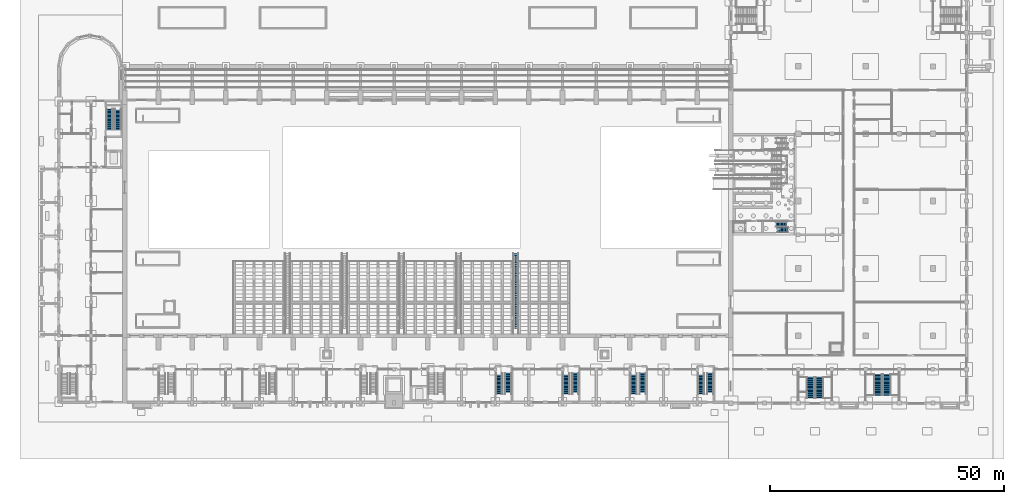
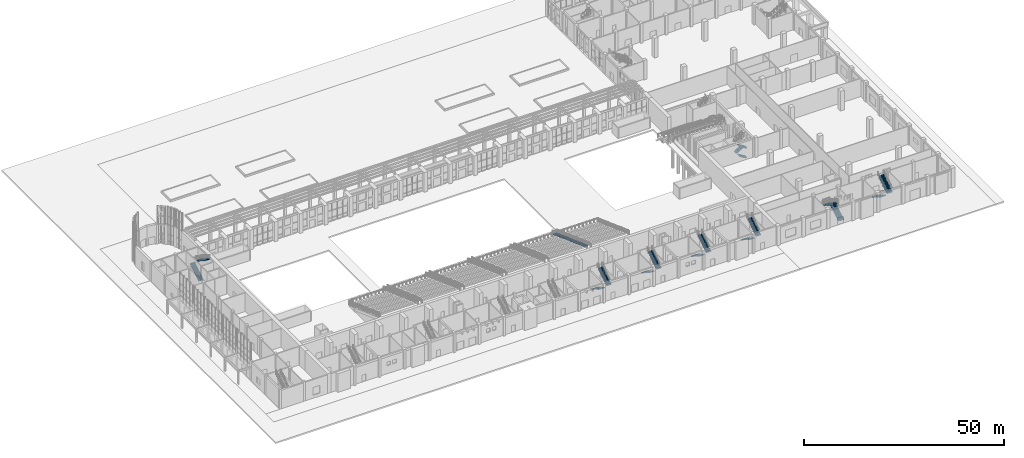
# One storey, part 55 of 70: 18 stair flights, 9 elements without a shape of their own.
"""IFC4 building model written with IfcOpenShell, lengths in metres."""

import ifcopenshell
import ifcopenshell.guid

model = None  # the IFC model being written
_history = None  # IfcOwnerHistory: only IFC2X3 demands one
_inside = {}  # id of a spatial element -> (the spatial element, [elements in it])
_under = {}  # id of a project, library or spatial element -> (it, [spatial elements below it])
_declared = {}  # id of a project -> (the project, [libraries it declares])
_typed = {}  # id of a type object -> (the type object, [elements of that type])
_made_of = {}  # id of a material, layer set ... -> (it, [elements and type objects made of it])


def new_model(schema):
    """Start an empty IFC model of exactly this schema.

    Asked for "IFC4X3", IfcOpenShell would pick the latest addendum, in which some entities
    have other attributes; the version numbers below select the first issue.
    IFC2X3 requires an IfcOwnerHistory on every rooted entity: one is made here for all.
    """
    global model, _history
    if schema == "IFC4X3":
        model = ifcopenshell.file(schema_version=(4, 3, 0, 0))
    else:
        model = ifcopenshell.file(schema=schema)
    _inside.clear()
    _under.clear()
    _declared.clear()
    _typed.clear()
    _made_of.clear()
    _history = None
    if model.schema == "IFC2X3":
        org = make("IfcOrganization", Name="unknown")
        user = make(
            "IfcPersonAndOrganization",
            ThePerson=make("IfcPerson", FamilyName="unknown"),
            TheOrganization=org,
        )
        app = make(
            "IfcApplication",
            ApplicationDeveloper=org,
            Version="unknown",
            ApplicationFullName="unknown",
            ApplicationIdentifier="unknown",
        )
        _history = make(
            "IfcOwnerHistory",
            OwningUser=user,
            OwningApplication=app,
            ChangeAction="ADDED",
            CreationDate=0,
        )
    return model


def make(cls, **values):
    """One entity of the class cls with the attributes given. An attribute that is None is left unset."""
    return model.create_entity(
        cls, **{name: value for name, value in values.items() if value is not None}
    )


def rooted(cls, **values):
    """An entity with a GlobalId (a new one), such as an element, a storey or a relation."""
    return make(cls, GlobalId=ifcopenshell.guid.new(), OwnerHistory=_history, **values)


def si_unit(unit_type, name, prefix=None):
    """IfcSIUnit, for example si_unit("LENGTHUNIT", "METRE", prefix="MILLI")."""
    return make("IfcSIUnit", UnitType=unit_type, Prefix=prefix, Name=name)


def assignment(units):
    """IfcUnitAssignment: the units of a project."""
    return None if units is None else make("IfcUnitAssignment", Units=units)


def point(xyz):
    """IfcCartesianPoint."""
    return None if xyz is None else make("IfcCartesianPoint", Coordinates=xyz)


def direction(xyz):
    """IfcDirection."""
    return None if xyz is None else make("IfcDirection", DirectionRatios=xyz)


def frame(location, z_axis=None, x_axis=None):
    """IfcAxis2Placement3D, a coordinate frame: its origin and axes. An axis left out is left unset."""
    return make(
        "IfcAxis2Placement3D",
        Location=point(location),
        Axis=direction(z_axis),
        RefDirection=direction(x_axis),
    )


def origin():
    """The frame at (0, 0, 0) with its axes left unset."""
    return frame((0.0, 0.0, 0.0))


def place(relative_to, where):
    """IfcLocalPlacement: puts the frame where relative to a parent placement (None: the world)."""
    return make(
        "IfcLocalPlacement", PlacementRelTo=relative_to, RelativePlacement=where
    )


def context(
    kind, dimensions, precision=None, world=None, true_north=None, identifier=None
):
    """IfcGeometricRepresentationContext, for example the 3D "Model" context."""
    return make(
        "IfcGeometricRepresentationContext",
        ContextIdentifier=identifier,
        ContextType=kind,
        CoordinateSpaceDimension=dimensions,
        Precision=precision,
        WorldCoordinateSystem=world,
        TrueNorth=true_north,
    )


def subcontext(parent, identifier, kind, view, scale=None):
    """IfcGeometricRepresentationSubContext, for example "Body" below "Model"."""
    return make(
        "IfcGeometricRepresentationSubContext",
        ContextIdentifier=identifier,
        ContextType=kind,
        ParentContext=parent,
        TargetScale=scale,
        TargetView=view,
    )


def project(units=None, contexts=None):
    """IfcProject with its units and contexts."""
    return rooted(
        "IfcProject",
        Name="project",
        RepresentationContexts=contexts,
        UnitsInContext=assignment(units),
    )


def spatial(cls, under=None, at=None, **own):
    """A site, building, storey or space (cls), placed at a placement, below another one or the project."""
    s = rooted(cls, ObjectPlacement=at, **own)
    if under is not None:
        _under.setdefault(under.id(), (under, []))[1].append(s)
    return s


def polyline(points):
    """IfcPolyline through the points."""
    return make("IfcPolyline", Points=[point(p) for p in points])


def outline(outer, holes=None, kind="AREA"):
    """IfcArbitraryClosedProfileDef: a profile drawn as a closed curve; with holes, ...WithVoids."""
    if holes is None:
        return make("IfcArbitraryClosedProfileDef", ProfileType=kind, OuterCurve=outer)
    return make(
        "IfcArbitraryProfileDefWithVoids",
        ProfileType=kind,
        OuterCurve=outer,
        InnerCurves=holes,
    )


def extrude(swept, where, along, depth):
    """IfcExtrudedAreaSolid: the profile swept, set in the frame where, extruded along a direction by depth."""
    return make(
        "IfcExtrudedAreaSolid",
        SweptArea=swept,
        Position=where,
        ExtrudedDirection=direction(along),
        Depth=depth,
    )


def shape(context_of_items, identifier, shape_type, items):
    """IfcShapeRepresentation: the items that make up one representation, for example the "Body"."""
    return make(
        "IfcShapeRepresentation",
        ContextOfItems=context_of_items,
        RepresentationIdentifier=identifier,
        RepresentationType=shape_type,
        Items=items,
    )


def material(Name=None, Category=None):
    """IfcMaterial."""
    return make("IfcMaterial", Name=Name, Category=Category)


def made_of(thing, what):
    """Note that an element or type object is made of a material, layer set ...; save() writes the relation."""
    if what is not None:
        _made_of.setdefault(what.id(), (what, []))[1].append(thing)
    return thing


def type_object(cls, material=None, **own):
    """A type object (cls), such as IfcWallType, which elements share."""
    return made_of(rooted(cls, **own), material)


def element(
    cls,
    number,
    at=None,
    inside=None,
    cuts=None,
    type_object=None,
    material=None,
    context=None,
    identifier="Body",
    shape_type=None,
    held_by="IfcProductDefinitionShape",
    body=None,
    shapes=None,
    **own,
):
    """One element of the class cls, such as IfcWall. Its Tag is "e" and its number.

    at: its placement. inside: the storey or other place that contains it. cuts: it is an
    opening in that element (IfcRelVoidsElement). A single representation is given by context,
    identifier, shape_type and body (its items); several are given by shapes. held_by: the class
    of the entity that holds the representations. save() writes the other relations.
    """
    e = rooted(cls, Tag="e%d" % number, ObjectPlacement=at, **own)
    if body is not None:
        shapes = [shape(context, identifier, shape_type, body)]
    if shapes is not None:
        e.Representation = make(held_by, Representations=shapes)
    if inside is not None:
        _inside.setdefault(inside.id(), (inside, []))[1].append(e)
    if cuts is not None:
        rooted(
            "IfcRelVoidsElement", RelatingBuildingElement=cuts, RelatedOpeningElement=e
        )
    if type_object is not None:
        _typed.setdefault(type_object.id(), (type_object, []))[1].append(e)
    return made_of(e, material)


def aggregate(whole, parts):
    """IfcRelAggregates: a whole, such as a stair, and the parts it consists of."""
    return rooted("IfcRelAggregates", RelatingObject=whole, RelatedObjects=parts)


def save(model, path):
    """Write the relations noted so far, then the file.

    IfcRelAggregates (storeys below a building ...), IfcRelContainedInSpatialStructure (elements
    in a storey), IfcRelDefinesByType, IfcRelAssociatesMaterial and IfcRelDeclares: one each for
    every whole, place, type object, material and project.
    """
    for whole, parts in _under.values():
        aggregate(whole, parts)
    for where, things in _inside.values():
        rooted(
            "IfcRelContainedInSpatialStructure",
            RelatedElements=things,
            RelatingStructure=where,
        )
    for kind, things in _typed.values():
        rooted("IfcRelDefinesByType", RelatedObjects=things, RelatingType=kind)
    for what, things in _made_of.values():
        rooted("IfcRelAssociatesMaterial", RelatedObjects=things, RelatingMaterial=what)
    for by, libraries in _declared.values():
        rooted("IfcRelDeclares", RelatingContext=by, RelatedDefinitions=libraries)
    model.write(path)


model = new_model("IFC4")

# Units and contexts
model_context = context("Model", 3, precision=1e-05, world=origin(), true_north=direction((0.0, 1.0)))
body_context = subcontext(model_context, "Body", "Model", "MODEL_VIEW")
ifc_project = project(units=[si_unit("LENGTHUNIT", "METRE"), si_unit("AREAUNIT", "SQUARE_METRE"), si_unit("VOLUMEUNIT", "CUBIC_METRE"), si_unit("PLANEANGLEUNIT", "RADIAN"), si_unit("MASSUNIT", "GRAM", prefix="KILO")], contexts=[model_context])

# Site, building, storey
site_placement = place(None, origin())
site = spatial("IfcSite", under=ifc_project, at=site_placement, CompositionType="ELEMENT")
building_placement = place(site_placement, origin())
building = spatial("IfcBuilding", under=site, at=building_placement, Name="Vermilion Court Aquatics Centre", CompositionType="ELEMENT")
storey_placement = place(building_placement, origin())
storey = spatial("IfcBuildingStorey", under=building, at=storey_placement, Name="L00", CompositionType="ELEMENT", Elevation=0.0)

# Stair, stair flights
ifc_material_1 = material(Name="Concrete 5000 psi", Category="concrete")
stair_type_1 = type_object("IfcStairType", Name="Diving Tower stair 1130", PredefinedType="HALF_TURN_STAIR", material=ifc_material_1)
stair_1_placement = place(storey_placement, origin())
stair_1 = element("IfcStair", 1, at=stair_1_placement, inside=storey, type_object=stair_type_1, Name="Exit stair ST-D1 L00", PredefinedType="HALF_TURN_STAIR")
ifc_material_2 = material(Name="Concrete 5000 psi", Category="concrete")
stair_flight_type_1 = type_object("IfcStairFlightType", Name="Diving Tower stair flight 1130", PredefinedType="STRAIGHT", material=ifc_material_2)
stair_flight_1_placement = place(storey_placement, frame((156.199951171875, 37.06494140625, 0.0), z_axis=(0.0, 0.0, 1.0), x_axis=(-1.0, 0.0, 0.0)))
stair_flight_1 = element("IfcStairFlight", 2, at=stair_flight_1_placement, type_object=stair_flight_type_1, Name="ST-D1 flight 1", NumberOfRisers=9, NumberOfTreads=8, PredefinedType="STRAIGHT", RiserHeight=0.166667, TreadLength=0.28, context=body_context, shape_type="SweptSolid", body=[
    extrude(outline(polyline([(0.0, 0.0), (0.0, 0.166748046875), (0.280029296875, 0.166748046875), (0.280029296875, 0.333251953125), (0.56005859375, 0.333251953125), (0.56005859375, 0.5), (0.840087890625, 0.5), (0.840087890625, 0.666748046875), (1.1201171875, 0.666748046875), (1.1201171875, 0.833251953125), (1.39990234375, 0.833251953125), (1.39990234375, 1.0), (1.679931640625, 1.0), (1.679931640625, 1.166748046875), (1.9599609375, 1.166748046875), (1.9599609375, 1.333251953125), (2.239990234375, 1.333251953125), (2.239990234375, 1.5), (2.239990234375, 1.1005859375), (0.390869140625, 0.0), (0.0, 0.0)])), frame((0.0, 0.56494140625, 0.0), z_axis=(0.0, -1.0, 0.0), x_axis=(1.0, 0.0, 0.0)), (0.0, 0.0, 1.0), 1.1298828125),
])
stair_flight_2_placement = place(storey_placement, frame((153.659912109375, 38.235107421875, 1.5), z_axis=(0.0, 0.0, 1.0), x_axis=(1.0, 0.0, 0.0)))
stair_flight_2 = element("IfcStairFlight", 3, at=stair_flight_2_placement, type_object=stair_flight_type_1, Name="ST-D1 flight 2", NumberOfRisers=9, NumberOfTreads=8, PredefinedType="STRAIGHT", RiserHeight=0.166667, TreadLength=0.28, context=body_context, shape_type="SweptSolid", body=[
    extrude(outline(polyline([(0.0, 0.0), (0.0, 0.166748046875), (0.280029296875, 0.166748046875), (0.280029296875, 0.333251953125), (0.56005859375, 0.333251953125), (0.56005859375, 0.5), (0.840087890625, 0.5), (0.840087890625, 0.666748046875), (1.1201171875, 0.666748046875), (1.1201171875, 0.833251953125), (1.39990234375, 0.833251953125), (1.39990234375, 1.0), (1.679931640625, 1.0), (1.679931640625, 1.166748046875), (1.9599609375, 1.166748046875), (1.9599609375, 1.333251953125), (2.239990234375, 1.333251953125), (2.239990234375, 1.5), (2.239990234375, 1.1005859375), (0.390869140625, 0.0), (0.0, 0.0)])), frame((0.0, 0.56494140625, 0.0), z_axis=(0.0, -1.0, 0.0), x_axis=(1.0, 0.0, 0.0)), (0.0, 0.0, 1.0), 1.1298828125),
])
stair_flight_3_placement = place(storey_placement, frame((156.199951171875, 37.06494140625, 3.0), z_axis=(0.0, 0.0, 1.0), x_axis=(-1.0, 0.0, 0.0)))
stair_flight_3 = element("IfcStairFlight", 4, at=stair_flight_3_placement, type_object=stair_flight_type_1, Name="ST-D1 flight 3", NumberOfRisers=9, NumberOfTreads=8, PredefinedType="STRAIGHT", RiserHeight=0.166667, TreadLength=0.28, context=body_context, shape_type="SweptSolid", body=[
    extrude(outline(polyline([(0.0, 0.0), (0.0, 0.166748046875), (0.280029296875, 0.166748046875), (0.280029296875, 0.333251953125), (0.56005859375, 0.333251953125), (0.56005859375, 0.5), (0.840087890625, 0.5), (0.840087890625, 0.666748046875), (1.1201171875, 0.666748046875), (1.1201171875, 0.833251953125), (1.39990234375, 0.833251953125), (1.39990234375, 1.0), (1.679931640625, 1.0), (1.679931640625, 1.166748046875), (1.9599609375, 1.166748046875), (1.9599609375, 1.333251953125), (2.239990234375, 1.333251953125), (2.239990234375, 1.5), (2.239990234375, 1.1005859375), (0.390869140625, 0.0), (0.0, 0.0)])), frame((0.0, 0.56494140625, 0.0), z_axis=(0.0, -1.0, 0.0), x_axis=(1.0, 0.0, 0.0)), (0.0, 0.0, 1.0), 1.1298828125),
])
aggregate(stair_1, [stair_flight_1, stair_flight_2, stair_flight_3])

ifc_material_3 = material(Name="Concrete 5000 psi", Category="concrete")
stair_type_2 = type_object("IfcStairType", Name="Foyer exit stair", PredefinedType="HALF_TURN_STAIR", material=ifc_material_3)
stair_2_placement = place(storey_placement, origin())
stair_2 = element("IfcStair", 5, at=stair_2_placement, inside=storey, type_object=stair_type_2, Name="Exit stair F2", PredefinedType="HALF_TURN_STAIR")
ifc_material_4 = material(Name="Concrete 5000 psi", Category="concrete")
stair_flight_type_2 = type_object("IfcStairFlightType", Name="Foyer exit stair flight 200", PredefinedType="STRAIGHT", material=ifc_material_4)
stair_flight_4_placement = place(storey_placement, frame((11.125, 58.449951171875, 0.0), z_axis=(0.0, 0.0, 1.0), x_axis=(0.0, 1.0, 0.0)))
stair_flight_4 = element("IfcStairFlight", 6, at=stair_flight_4_placement, type_object=stair_flight_type_2, Name="FST1 flight 1", NumberOfRisers=17, NumberOfTreads=16, PredefinedType="STRAIGHT", RiserHeight=0.176470588, TreadLength=0.28, context=body_context, shape_type="SweptSolid", body=[
    extrude(outline(polyline([(0.0, 0.0), (0.0, 0.176513671875), (0.280029296875, 0.176513671875), (0.280029296875, 0.35302734375), (0.56005859375, 0.35302734375), (0.56005859375, 0.529296875), (0.840087890625, 0.529296875), (0.840087890625, 0.705810546875), (1.1201171875, 0.705810546875), (1.1201171875, 0.88232421875), (1.39990234375, 0.88232421875), (1.39990234375, 1.058837890625), (1.679931640625, 1.058837890625), (1.679931640625, 1.2353515625), (1.9599609375, 1.2353515625), (1.9599609375, 1.411865234375), (2.239990234375, 1.411865234375), (2.239990234375, 1.588134765625), (2.52001953125, 1.588134765625), (2.52001953125, 1.7646484375), (2.800048828125, 1.7646484375), (2.800048828125, 1.941162109375), (3.080078125, 1.941162109375), (3.080078125, 2.11767578125), (3.360107421875, 2.11767578125), (3.360107421875, 2.294189453125), (3.639892578125, 2.294189453125), (3.639892578125, 2.470703125), (3.919921875, 2.470703125), (3.919921875, 2.64697265625), (4.199951171875, 2.64697265625), (4.199951171875, 2.823486328125), (4.47998046875, 2.823486328125), (4.47998046875, 3.0), (4.47998046875, 2.587158203125), (0.375, 0.0), (0.0, 0.0)])), frame((0.0, 0.699951171875, 0.0), z_axis=(0.0, -1.0, 0.0), x_axis=(1.0, 0.0, 0.0)), (0.0, 0.0, 1.0), 1.39990234375),
])
stair_flight_5_placement = place(storey_placement, frame((12.949951171875, 62.929931640625, 3.0), z_axis=(0.0, 0.0, 1.0), x_axis=(0.0, -1.0, 0.0)))
stair_flight_5 = element("IfcStairFlight", 7, at=stair_flight_5_placement, type_object=stair_flight_type_2, Name="FST1 flight 2", NumberOfRisers=17, NumberOfTreads=16, PredefinedType="STRAIGHT", RiserHeight=0.176470588, TreadLength=0.28, context=body_context, shape_type="SweptSolid", body=[
    extrude(outline(polyline([(0.0, 0.0), (0.0, 0.176513671875), (0.280029296875, 0.176513671875), (0.280029296875, 0.35302734375), (0.56005859375, 0.35302734375), (0.56005859375, 0.529296875), (0.840087890625, 0.529296875), (0.840087890625, 0.705810546875), (1.1201171875, 0.705810546875), (1.1201171875, 0.88232421875), (1.39990234375, 0.88232421875), (1.39990234375, 1.058837890625), (1.679931640625, 1.058837890625), (1.679931640625, 1.2353515625), (1.9599609375, 1.2353515625), (1.9599609375, 1.411865234375), (2.239990234375, 1.411865234375), (2.239990234375, 1.588134765625), (2.52001953125, 1.588134765625), (2.52001953125, 1.7646484375), (2.800048828125, 1.7646484375), (2.800048828125, 1.941162109375), (3.080078125, 1.941162109375), (3.080078125, 2.11767578125), (3.360107421875, 2.11767578125), (3.360107421875, 2.294189453125), (3.639892578125, 2.294189453125), (3.639892578125, 2.470703125), (3.919921875, 2.470703125), (3.919921875, 2.64697265625), (4.199951171875, 2.64697265625), (4.199951171875, 2.823486328125), (4.47998046875, 2.823486328125), (4.47998046875, 3.0), (4.47998046875, 2.587158203125), (0.375, 0.0), (0.0, 0.0)])), frame((0.0, 0.699951171875, 0.0), z_axis=(0.0, -1.0, 0.0), x_axis=(1.0, 0.0, 0.0)), (0.0, 0.0, 1.0), 1.39990234375),
])
aggregate(stair_2, [stair_flight_4, stair_flight_5])

ifc_material_5 = material(Name="Concrete 5000 psi", Category="concrete")
stair_type_3 = type_object("IfcStairType", Name="Podium exit stair 1600 clear, two flights", PredefinedType="TWO_STRAIGHT_RUN_STAIR", material=ifc_material_5)
stair_3_placement = place(storey_placement, origin())
stair_3 = element("IfcStair", 8, at=stair_3_placement, inside=storey, type_object=stair_type_3, Name="Exit stair P1", PredefinedType="TWO_STRAIGHT_RUN_STAIR")
ifc_material_6 = material(Name="Concrete 5000 psi", Category="concrete")
stair_flight_type_3 = type_object("IfcStairFlightType", Name="Podium exit stair flight 1600", PredefinedType="STRAIGHT", material=ifc_material_6)
stair_flight_6_placement = place(storey_placement, frame((162.93994140625, 1.0625, 0.0), z_axis=(0.0, 0.0, 1.0), x_axis=(0.0, 1.0, 0.0)))
stair_flight_6 = element("IfcStairFlight", 9, at=stair_flight_6_placement, type_object=stair_flight_type_3, Name="ST-P1 flight 1", NumberOfRisers=17, NumberOfTreads=16, PredefinedType="STRAIGHT", RiserHeight=0.176470588, TreadLength=0.2795, context=body_context, shape_type="SweptSolid", body=[
    extrude(outline(polyline([(0.0, 0.0), (0.0, 0.176513671875), (0.279541015625, 0.176513671875), (0.279541015625, 0.35302734375), (0.55908203125, 0.35302734375), (0.55908203125, 0.529296875), (0.83837890625, 0.529296875), (0.83837890625, 0.705810546875), (1.117919921875, 0.705810546875), (1.117919921875, 0.88232421875), (1.3974609375, 0.88232421875), (1.3974609375, 1.058837890625), (1.677001953125, 1.058837890625), (1.677001953125, 1.2353515625), (1.95654296875, 1.2353515625), (1.95654296875, 1.411865234375), (2.236083984375, 1.411865234375), (2.236083984375, 1.588134765625), (2.515380859375, 1.588134765625), (2.515380859375, 1.7646484375), (2.794921875, 1.7646484375), (2.794921875, 1.941162109375), (3.074462890625, 1.941162109375), (3.074462890625, 2.11767578125), (3.35400390625, 2.11767578125), (3.35400390625, 2.294189453125), (3.633544921875, 2.294189453125), (3.633544921875, 2.470703125), (3.9130859375, 2.470703125), (3.9130859375, 2.64697265625), (4.1923828125, 2.64697265625), (4.1923828125, 2.823486328125), (4.471923828125, 2.823486328125), (4.471923828125, 3.0), (4.471923828125, 2.587158203125), (0.37451171875, 0.0), (0.0, 0.0)])), frame((0.0, 0.800048828125, 0.0), z_axis=(0.0, -1.0, 0.0), x_axis=(1.0, 0.0, 0.0)), (0.0, 0.0, 1.0), 1.60009765625),
])
stair_flight_7_placement = place(storey_placement, frame((161.06005859375, 5.534423828125, 3.0), z_axis=(0.0, 0.0, 1.0), x_axis=(0.0, -1.0, 0.0)))
stair_flight_7 = element("IfcStairFlight", 10, at=stair_flight_7_placement, type_object=stair_flight_type_3, Name="ST-P1 flight 2", NumberOfRisers=17, NumberOfTreads=16, PredefinedType="STRAIGHT", RiserHeight=0.176470588, TreadLength=0.2795, context=body_context, shape_type="SweptSolid", body=[
    extrude(outline(polyline([(0.0, 0.0), (0.0, 0.176513671875), (0.279541015625, 0.176513671875), (0.279541015625, 0.35302734375), (0.55908203125, 0.35302734375), (0.55908203125, 0.529296875), (0.83837890625, 0.529296875), (0.83837890625, 0.705810546875), (1.117919921875, 0.705810546875), (1.117919921875, 0.88232421875), (1.3974609375, 0.88232421875), (1.3974609375, 1.058837890625), (1.677001953125, 1.058837890625), (1.677001953125, 1.2353515625), (1.95654296875, 1.2353515625), (1.95654296875, 1.411865234375), (2.236083984375, 1.411865234375), (2.236083984375, 1.588134765625), (2.515380859375, 1.588134765625), (2.515380859375, 1.7646484375), (2.794921875, 1.7646484375), (2.794921875, 1.941162109375), (3.074462890625, 1.941162109375), (3.074462890625, 2.11767578125), (3.35400390625, 2.11767578125), (3.35400390625, 2.294189453125), (3.633544921875, 2.294189453125), (3.633544921875, 2.470703125), (3.9130859375, 2.470703125), (3.9130859375, 2.64697265625), (4.1923828125, 2.64697265625), (4.1923828125, 2.823486328125), (4.471923828125, 2.823486328125), (4.471923828125, 3.0), (4.471923828125, 2.587158203125), (0.37451171875, 0.0), (0.0, 0.0)])), frame((0.0, 0.800048828125, 0.0), z_axis=(0.0, -1.0, 0.0), x_axis=(1.0, 0.0, 0.0)), (0.0, 0.0, 1.0), 1.60009765625),
])
aggregate(stair_3, [stair_flight_6, stair_flight_7])

stair_4_placement = place(storey_placement, origin())
stair_4 = element("IfcStair", 11, at=stair_4_placement, inside=storey, type_object=stair_type_3, Name="Exit stair P2", PredefinedType="TWO_STRAIGHT_RUN_STAIR")
stair_flight_8_placement = place(storey_placement, frame((175.4599609375, 6.137451171875, 0.0), z_axis=(0.0, 0.0, 1.0), x_axis=(0.0, -1.0, 0.0)))
stair_flight_8 = element("IfcStairFlight", 12, at=stair_flight_8_placement, type_object=stair_flight_type_3, Name="ST-P2 flight 1", NumberOfRisers=17, NumberOfTreads=16, PredefinedType="STRAIGHT", RiserHeight=0.176470588, TreadLength=0.2795, context=body_context, shape_type="SweptSolid", body=[
    extrude(outline(polyline([(0.0, 0.0), (0.0, 0.176513671875), (0.279541015625, 0.176513671875), (0.279541015625, 0.35302734375), (0.55908203125, 0.35302734375), (0.55908203125, 0.529296875), (0.83837890625, 0.529296875), (0.83837890625, 0.705810546875), (1.117919921875, 0.705810546875), (1.117919921875, 0.88232421875), (1.3974609375, 0.88232421875), (1.3974609375, 1.058837890625), (1.677001953125, 1.058837890625), (1.677001953125, 1.2353515625), (1.95654296875, 1.2353515625), (1.95654296875, 1.411865234375), (2.236083984375, 1.411865234375), (2.236083984375, 1.588134765625), (2.515380859375, 1.588134765625), (2.515380859375, 1.7646484375), (2.794921875, 1.7646484375), (2.794921875, 1.941162109375), (3.074462890625, 1.941162109375), (3.074462890625, 2.11767578125), (3.35400390625, 2.11767578125), (3.35400390625, 2.294189453125), (3.633544921875, 2.294189453125), (3.633544921875, 2.470703125), (3.9130859375, 2.470703125), (3.9130859375, 2.64697265625), (4.1923828125, 2.64697265625), (4.1923828125, 2.823486328125), (4.471923828125, 2.823486328125), (4.471923828125, 3.0), (4.471923828125, 2.587158203125), (0.37451171875, 0.0), (0.0, 0.0)])), frame((0.0, 0.800048828125, 0.0), z_axis=(0.0, -1.0, 0.0), x_axis=(1.0, 0.0, 0.0)), (0.0, 0.0, 1.0), 1.60009765625),
])
stair_flight_9_placement = place(storey_placement, frame((177.340087890625, 1.66552734375, 3.0), z_axis=(0.0, 0.0, 1.0), x_axis=(0.0, 1.0, 0.0)))
stair_flight_9 = element("IfcStairFlight", 13, at=stair_flight_9_placement, type_object=stair_flight_type_3, Name="ST-P2 flight 2", NumberOfRisers=17, NumberOfTreads=16, PredefinedType="STRAIGHT", RiserHeight=0.176470588, TreadLength=0.2795, context=body_context, shape_type="SweptSolid", body=[
    extrude(outline(polyline([(0.0, 0.0), (0.0, 0.176513671875), (0.279541015625, 0.176513671875), (0.279541015625, 0.35302734375), (0.55908203125, 0.35302734375), (0.55908203125, 0.529296875), (0.83837890625, 0.529296875), (0.83837890625, 0.705810546875), (1.117919921875, 0.705810546875), (1.117919921875, 0.88232421875), (1.3974609375, 0.88232421875), (1.3974609375, 1.058837890625), (1.677001953125, 1.058837890625), (1.677001953125, 1.2353515625), (1.95654296875, 1.2353515625), (1.95654296875, 1.411865234375), (2.236083984375, 1.411865234375), (2.236083984375, 1.588134765625), (2.515380859375, 1.588134765625), (2.515380859375, 1.7646484375), (2.794921875, 1.7646484375), (2.794921875, 1.941162109375), (3.074462890625, 1.941162109375), (3.074462890625, 2.11767578125), (3.35400390625, 2.11767578125), (3.35400390625, 2.294189453125), (3.633544921875, 2.294189453125), (3.633544921875, 2.470703125), (3.9130859375, 2.470703125), (3.9130859375, 2.64697265625), (4.1923828125, 2.64697265625), (4.1923828125, 2.823486328125), (4.471923828125, 2.823486328125), (4.471923828125, 3.0), (4.471923828125, 2.587158203125), (0.37451171875, 0.0), (0.0, 0.0)])), frame((0.0, 0.800048828125, 0.0), z_axis=(0.0, -1.0, 0.0), x_axis=(1.0, 0.0, 0.0)), (0.0, 0.0, 1.0), 1.60009765625),
])
aggregate(stair_4, [stair_flight_8, stair_flight_9])

ifc_material_7 = material(Name="Concrete 5000 psi", Category="concrete")
stair_type_4 = type_object("IfcStairType", Name="South exit stair", PredefinedType="HALF_TURN_STAIR", material=ifc_material_7)
stair_5_placement = place(storey_placement, origin())
stair_5 = element("IfcStair", 14, at=stair_5_placement, inside=storey, type_object=stair_type_4, Name="Exit stair S5", PredefinedType="HALF_TURN_STAIR")
ifc_material_8 = material(Name="Concrete 5000 psi", Category="concrete")
stair_flight_type_4 = type_object("IfcStairFlightType", Name="South exit stair flight", PredefinedType="STRAIGHT", material=ifc_material_8)
stair_flight_10_placement = place(storey_placement, frame((94.425048828125, 6.39990234375, 0.0), z_axis=(0.0, 0.0, 1.0), x_axis=(0.0, -1.0, 0.0)))
stair_flight_10 = element("IfcStairFlight", 15, at=stair_flight_10_placement, type_object=stair_flight_type_4, Name="SST1 flight 1", NumberOfRisers=17, NumberOfTreads=16, PredefinedType="STRAIGHT", RiserHeight=0.176470588, TreadLength=0.28, context=body_context, shape_type="SweptSolid", body=[
    extrude(outline(polyline([(0.0, 0.0), (0.0, 0.176513671875), (0.280029296875, 0.176513671875), (0.280029296875, 0.35302734375), (0.56005859375, 0.35302734375), (0.56005859375, 0.529296875), (0.840087890625, 0.529296875), (0.840087890625, 0.705810546875), (1.1201171875, 0.705810546875), (1.1201171875, 0.88232421875), (1.39990234375, 0.88232421875), (1.39990234375, 1.058837890625), (1.679931640625, 1.058837890625), (1.679931640625, 1.2353515625), (1.9599609375, 1.2353515625), (1.9599609375, 1.411865234375), (2.239990234375, 1.411865234375), (2.239990234375, 1.588134765625), (2.52001953125, 1.588134765625), (2.52001953125, 1.7646484375), (2.800048828125, 1.7646484375), (2.800048828125, 1.941162109375), (3.080078125, 1.941162109375), (3.080078125, 2.11767578125), (3.360107421875, 2.11767578125), (3.360107421875, 2.294189453125), (3.639892578125, 2.294189453125), (3.639892578125, 2.470703125), (3.919921875, 2.470703125), (3.919921875, 2.64697265625), (4.199951171875, 2.64697265625), (4.199951171875, 2.823486328125), (4.47998046875, 2.823486328125), (4.47998046875, 3.0), (4.47998046875, 2.646240234375), (0.28125, 0.0), (0.0, 0.0)])), frame((0.0, 0.699951171875, 0.0), z_axis=(0.0, -1.0, 0.0), x_axis=(1.0, 0.0, 0.0)), (0.0, 0.0, 1.0), 1.39990234375),
])
stair_flight_11_placement = place(storey_placement, frame((96.375, 1.919921875, 3.0), z_axis=(0.0, 0.0, 1.0), x_axis=(0.0, 1.0, 0.0)))
stair_flight_11 = element("IfcStairFlight", 16, at=stair_flight_11_placement, type_object=stair_flight_type_4, Name="SST1 flight 2", NumberOfRisers=17, NumberOfTreads=16, PredefinedType="STRAIGHT", RiserHeight=0.176470588, TreadLength=0.28, context=body_context, shape_type="SweptSolid", body=[
    extrude(outline(polyline([(0.0, 0.0), (0.0, 0.176513671875), (0.280029296875, 0.176513671875), (0.280029296875, 0.35302734375), (0.56005859375, 0.35302734375), (0.56005859375, 0.529296875), (0.840087890625, 0.529296875), (0.840087890625, 0.705810546875), (1.1201171875, 0.705810546875), (1.1201171875, 0.88232421875), (1.39990234375, 0.88232421875), (1.39990234375, 1.058837890625), (1.679931640625, 1.058837890625), (1.679931640625, 1.2353515625), (1.9599609375, 1.2353515625), (1.9599609375, 1.411865234375), (2.239990234375, 1.411865234375), (2.239990234375, 1.588134765625), (2.52001953125, 1.588134765625), (2.52001953125, 1.7646484375), (2.800048828125, 1.7646484375), (2.800048828125, 1.941162109375), (3.080078125, 1.941162109375), (3.080078125, 2.11767578125), (3.360107421875, 2.11767578125), (3.360107421875, 2.294189453125), (3.639892578125, 2.294189453125), (3.639892578125, 2.470703125), (3.919921875, 2.470703125), (3.919921875, 2.64697265625), (4.199951171875, 2.64697265625), (4.199951171875, 2.823486328125), (4.47998046875, 2.823486328125), (4.47998046875, 3.0), (4.47998046875, 2.646240234375), (0.28125, 0.0), (0.0, 0.0)])), frame((0.0, 0.699951171875, 0.0), z_axis=(0.0, -1.0, 0.0), x_axis=(1.0, 0.0, 0.0)), (0.0, 0.0, 1.0), 1.39990234375),
])
aggregate(stair_5, [stair_flight_10, stair_flight_11])

stair_6_placement = place(storey_placement, origin())
stair_6 = element("IfcStair", 17, at=stair_6_placement, inside=storey, type_object=stair_type_4, Name="Exit stair S6", PredefinedType="HALF_TURN_STAIR")
stair_flight_12_placement = place(storey_placement, frame((108.824951171875, 6.39990234375, 0.0), z_axis=(0.0, 0.0, 1.0), x_axis=(0.0, -1.0, 0.0)))
stair_flight_12 = element("IfcStairFlight", 18, at=stair_flight_12_placement, type_object=stair_flight_type_4, Name="SST1 flight 1", NumberOfRisers=17, NumberOfTreads=16, PredefinedType="STRAIGHT", RiserHeight=0.176470588, TreadLength=0.28, context=body_context, shape_type="SweptSolid", body=[
    extrude(outline(polyline([(0.0, 0.0), (0.0, 0.176513671875), (0.280029296875, 0.176513671875), (0.280029296875, 0.35302734375), (0.56005859375, 0.35302734375), (0.56005859375, 0.529296875), (0.840087890625, 0.529296875), (0.840087890625, 0.705810546875), (1.1201171875, 0.705810546875), (1.1201171875, 0.88232421875), (1.39990234375, 0.88232421875), (1.39990234375, 1.058837890625), (1.679931640625, 1.058837890625), (1.679931640625, 1.2353515625), (1.9599609375, 1.2353515625), (1.9599609375, 1.411865234375), (2.239990234375, 1.411865234375), (2.239990234375, 1.588134765625), (2.52001953125, 1.588134765625), (2.52001953125, 1.7646484375), (2.800048828125, 1.7646484375), (2.800048828125, 1.941162109375), (3.080078125, 1.941162109375), (3.080078125, 2.11767578125), (3.360107421875, 2.11767578125), (3.360107421875, 2.294189453125), (3.639892578125, 2.294189453125), (3.639892578125, 2.470703125), (3.919921875, 2.470703125), (3.919921875, 2.64697265625), (4.199951171875, 2.64697265625), (4.199951171875, 2.823486328125), (4.47998046875, 2.823486328125), (4.47998046875, 3.0), (4.47998046875, 2.646240234375), (0.28125, 0.0), (0.0, 0.0)])), frame((0.0, 0.699951171875, 0.0), z_axis=(0.0, -1.0, 0.0), x_axis=(1.0, 0.0, 0.0)), (0.0, 0.0, 1.0), 1.39990234375),
])
stair_flight_13_placement = place(storey_placement, frame((110.77490234375, 1.919921875, 3.0), z_axis=(0.0, 0.0, 1.0), x_axis=(0.0, 1.0, 0.0)))
stair_flight_13 = element("IfcStairFlight", 19, at=stair_flight_13_placement, type_object=stair_flight_type_4, Name="SST1 flight 2", NumberOfRisers=17, NumberOfTreads=16, PredefinedType="STRAIGHT", RiserHeight=0.176470588, TreadLength=0.28, context=body_context, shape_type="SweptSolid", body=[
    extrude(outline(polyline([(0.0, 0.0), (0.0, 0.176513671875), (0.280029296875, 0.176513671875), (0.280029296875, 0.35302734375), (0.56005859375, 0.35302734375), (0.56005859375, 0.529296875), (0.840087890625, 0.529296875), (0.840087890625, 0.705810546875), (1.1201171875, 0.705810546875), (1.1201171875, 0.88232421875), (1.39990234375, 0.88232421875), (1.39990234375, 1.058837890625), (1.679931640625, 1.058837890625), (1.679931640625, 1.2353515625), (1.9599609375, 1.2353515625), (1.9599609375, 1.411865234375), (2.239990234375, 1.411865234375), (2.239990234375, 1.588134765625), (2.52001953125, 1.588134765625), (2.52001953125, 1.7646484375), (2.800048828125, 1.7646484375), (2.800048828125, 1.941162109375), (3.080078125, 1.941162109375), (3.080078125, 2.11767578125), (3.360107421875, 2.11767578125), (3.360107421875, 2.294189453125), (3.639892578125, 2.294189453125), (3.639892578125, 2.470703125), (3.919921875, 2.470703125), (3.919921875, 2.64697265625), (4.199951171875, 2.64697265625), (4.199951171875, 2.823486328125), (4.47998046875, 2.823486328125), (4.47998046875, 3.0), (4.47998046875, 2.646240234375), (0.28125, 0.0), (0.0, 0.0)])), frame((0.0, 0.699951171875, 0.0), z_axis=(0.0, -1.0, 0.0), x_axis=(1.0, 0.0, 0.0)), (0.0, 0.0, 1.0), 1.39990234375),
])
aggregate(stair_6, [stair_flight_12, stair_flight_13])

stair_7_placement = place(storey_placement, origin())
stair_7 = element("IfcStair", 20, at=stair_7_placement, inside=storey, type_object=stair_type_4, Name="Exit stair S7", PredefinedType="HALF_TURN_STAIR")
stair_flight_14_placement = place(storey_placement, frame((123.22509765625, 6.39990234375, 0.0), z_axis=(0.0, 0.0, 1.0), x_axis=(0.0, -1.0, 0.0)))
stair_flight_14 = element("IfcStairFlight", 21, at=stair_flight_14_placement, type_object=stair_flight_type_4, Name="SST1 flight 1", NumberOfRisers=17, NumberOfTreads=16, PredefinedType="STRAIGHT", RiserHeight=0.176470588, TreadLength=0.28, context=body_context, shape_type="SweptSolid", body=[
    extrude(outline(polyline([(0.0, 0.0), (0.0, 0.176513671875), (0.280029296875, 0.176513671875), (0.280029296875, 0.35302734375), (0.56005859375, 0.35302734375), (0.56005859375, 0.529296875), (0.840087890625, 0.529296875), (0.840087890625, 0.705810546875), (1.1201171875, 0.705810546875), (1.1201171875, 0.88232421875), (1.39990234375, 0.88232421875), (1.39990234375, 1.058837890625), (1.679931640625, 1.058837890625), (1.679931640625, 1.2353515625), (1.9599609375, 1.2353515625), (1.9599609375, 1.411865234375), (2.239990234375, 1.411865234375), (2.239990234375, 1.588134765625), (2.52001953125, 1.588134765625), (2.52001953125, 1.7646484375), (2.800048828125, 1.7646484375), (2.800048828125, 1.941162109375), (3.080078125, 1.941162109375), (3.080078125, 2.11767578125), (3.360107421875, 2.11767578125), (3.360107421875, 2.294189453125), (3.639892578125, 2.294189453125), (3.639892578125, 2.470703125), (3.919921875, 2.470703125), (3.919921875, 2.64697265625), (4.199951171875, 2.64697265625), (4.199951171875, 2.823486328125), (4.47998046875, 2.823486328125), (4.47998046875, 3.0), (4.47998046875, 2.646240234375), (0.28125, 0.0), (0.0, 0.0)])), frame((0.0, 0.699951171875, 0.0), z_axis=(0.0, -1.0, 0.0), x_axis=(1.0, 0.0, 0.0)), (0.0, 0.0, 1.0), 1.39990234375),
])
stair_flight_15_placement = place(storey_placement, frame((125.175048828125, 1.919921875, 3.0), z_axis=(0.0, 0.0, 1.0), x_axis=(0.0, 1.0, 0.0)))
stair_flight_15 = element("IfcStairFlight", 22, at=stair_flight_15_placement, type_object=stair_flight_type_4, Name="SST1 flight 2", NumberOfRisers=17, NumberOfTreads=16, PredefinedType="STRAIGHT", RiserHeight=0.176470588, TreadLength=0.28, context=body_context, shape_type="SweptSolid", body=[
    extrude(outline(polyline([(0.0, 0.0), (0.0, 0.176513671875), (0.280029296875, 0.176513671875), (0.280029296875, 0.35302734375), (0.56005859375, 0.35302734375), (0.56005859375, 0.529296875), (0.840087890625, 0.529296875), (0.840087890625, 0.705810546875), (1.1201171875, 0.705810546875), (1.1201171875, 0.88232421875), (1.39990234375, 0.88232421875), (1.39990234375, 1.058837890625), (1.679931640625, 1.058837890625), (1.679931640625, 1.2353515625), (1.9599609375, 1.2353515625), (1.9599609375, 1.411865234375), (2.239990234375, 1.411865234375), (2.239990234375, 1.588134765625), (2.52001953125, 1.588134765625), (2.52001953125, 1.7646484375), (2.800048828125, 1.7646484375), (2.800048828125, 1.941162109375), (3.080078125, 1.941162109375), (3.080078125, 2.11767578125), (3.360107421875, 2.11767578125), (3.360107421875, 2.294189453125), (3.639892578125, 2.294189453125), (3.639892578125, 2.470703125), (3.919921875, 2.470703125), (3.919921875, 2.64697265625), (4.199951171875, 2.64697265625), (4.199951171875, 2.823486328125), (4.47998046875, 2.823486328125), (4.47998046875, 3.0), (4.47998046875, 2.646240234375), (0.28125, 0.0), (0.0, 0.0)])), frame((0.0, 0.699951171875, 0.0), z_axis=(0.0, -1.0, 0.0), x_axis=(1.0, 0.0, 0.0)), (0.0, 0.0, 1.0), 1.39990234375),
])
aggregate(stair_7, [stair_flight_14, stair_flight_15])

stair_8_placement = place(storey_placement, origin())
stair_8 = element("IfcStair", 23, at=stair_8_placement, inside=storey, type_object=stair_type_4, Name="Exit stair S8", PredefinedType="HALF_TURN_STAIR")
stair_flight_16_placement = place(storey_placement, frame((137.625, 6.39990234375, 0.0), z_axis=(0.0, 0.0, 1.0), x_axis=(0.0, -1.0, 0.0)))
stair_flight_16 = element("IfcStairFlight", 24, at=stair_flight_16_placement, type_object=stair_flight_type_4, Name="SST1 flight 1", NumberOfRisers=17, NumberOfTreads=16, PredefinedType="STRAIGHT", RiserHeight=0.176470588, TreadLength=0.28, context=body_context, shape_type="SweptSolid", body=[
    extrude(outline(polyline([(0.0, 0.0), (0.0, 0.176513671875), (0.280029296875, 0.176513671875), (0.280029296875, 0.35302734375), (0.56005859375, 0.35302734375), (0.56005859375, 0.529296875), (0.840087890625, 0.529296875), (0.840087890625, 0.705810546875), (1.1201171875, 0.705810546875), (1.1201171875, 0.88232421875), (1.39990234375, 0.88232421875), (1.39990234375, 1.058837890625), (1.679931640625, 1.058837890625), (1.679931640625, 1.2353515625), (1.9599609375, 1.2353515625), (1.9599609375, 1.411865234375), (2.239990234375, 1.411865234375), (2.239990234375, 1.588134765625), (2.52001953125, 1.588134765625), (2.52001953125, 1.7646484375), (2.800048828125, 1.7646484375), (2.800048828125, 1.941162109375), (3.080078125, 1.941162109375), (3.080078125, 2.11767578125), (3.360107421875, 2.11767578125), (3.360107421875, 2.294189453125), (3.639892578125, 2.294189453125), (3.639892578125, 2.470703125), (3.919921875, 2.470703125), (3.919921875, 2.64697265625), (4.199951171875, 2.64697265625), (4.199951171875, 2.823486328125), (4.47998046875, 2.823486328125), (4.47998046875, 3.0), (4.47998046875, 2.646240234375), (0.28125, 0.0), (0.0, 0.0)])), frame((0.0, 0.699951171875, 0.0), z_axis=(0.0, -1.0, 0.0), x_axis=(1.0, 0.0, 0.0)), (0.0, 0.0, 1.0), 1.39990234375),
])
stair_flight_17_placement = place(storey_placement, frame((139.574951171875, 1.919921875, 3.0), z_axis=(0.0, 0.0, 1.0), x_axis=(0.0, 1.0, 0.0)))
stair_flight_17 = element("IfcStairFlight", 25, at=stair_flight_17_placement, type_object=stair_flight_type_4, Name="SST1 flight 2", NumberOfRisers=17, NumberOfTreads=16, PredefinedType="STRAIGHT", RiserHeight=0.176470588, TreadLength=0.28, context=body_context, shape_type="SweptSolid", body=[
    extrude(outline(polyline([(0.0, 0.0), (0.0, 0.176513671875), (0.280029296875, 0.176513671875), (0.280029296875, 0.35302734375), (0.56005859375, 0.35302734375), (0.56005859375, 0.529296875), (0.840087890625, 0.529296875), (0.840087890625, 0.705810546875), (1.1201171875, 0.705810546875), (1.1201171875, 0.88232421875), (1.39990234375, 0.88232421875), (1.39990234375, 1.058837890625), (1.679931640625, 1.058837890625), (1.679931640625, 1.2353515625), (1.9599609375, 1.2353515625), (1.9599609375, 1.411865234375), (2.239990234375, 1.411865234375), (2.239990234375, 1.588134765625), (2.52001953125, 1.588134765625), (2.52001953125, 1.7646484375), (2.800048828125, 1.7646484375), (2.800048828125, 1.941162109375), (3.080078125, 1.941162109375), (3.080078125, 2.11767578125), (3.360107421875, 2.11767578125), (3.360107421875, 2.294189453125), (3.639892578125, 2.294189453125), (3.639892578125, 2.470703125), (3.919921875, 2.470703125), (3.919921875, 2.64697265625), (4.199951171875, 2.64697265625), (4.199951171875, 2.823486328125), (4.47998046875, 2.823486328125), (4.47998046875, 3.0), (4.47998046875, 2.646240234375), (0.28125, 0.0), (0.0, 0.0)])), frame((0.0, 0.699951171875, 0.0), z_axis=(0.0, -1.0, 0.0), x_axis=(1.0, 0.0, 0.0)), (0.0, 0.0, 1.0), 1.39990234375),
])
aggregate(stair_8, [stair_flight_16, stair_flight_17])

# Stair, stair flight
ifc_material_9 = material(Name="Concrete 5000 psi", Category="concrete")
stair_type_5 = type_object("IfcStairType", Name="Tribune aisle stair", PredefinedType="STRAIGHT_RUN_STAIR", material=ifc_material_9)
stair_9_placement = place(storey_placement, origin())
stair_9 = element("IfcStair", 26, at=stair_9_placement, inside=storey, type_object=stair_type_5, Name="Aisle stair 5", PredefinedType="STRAIGHT_RUN_STAIR")
ifc_material_10 = material(Name="Concrete 5000 psi", Category="concrete")
stair_flight_type_5 = type_object("IfcStairFlightType", Name="Tribune aisle stair flight", PredefinedType="STRAIGHT", material=ifc_material_10)
stair_flight_18_placement = place(storey_placement, frame((98.0, 31.989990234375, 0.0), z_axis=(0.0, 0.0, 1.0), x_axis=(0.0, -1.0, 0.0)))
stair_flight_18 = element("IfcStairFlight", 27, at=stair_flight_18_placement, type_object=stair_flight_type_5, Name="TST1 flight 1", NumberOfRisers=42, NumberOfTreads=41, PredefinedType="STRAIGHT", RiserHeight=0.142857143, TreadLength=0.39, context=body_context, shape_type="SweptSolid", body=[
    extrude(outline(polyline([(0.0, 0.0), (0.0, 0.142822265625), (0.389892578125, 0.142822265625), (0.389892578125, 0.28564453125), (0.780029296875, 0.28564453125), (0.780029296875, 0.428466796875), (1.169921875, 0.428466796875), (1.169921875, 0.571533203125), (1.56005859375, 0.571533203125), (1.56005859375, 0.71435546875), (1.949951171875, 0.71435546875), (1.949951171875, 0.857177734375), (2.340087890625, 0.857177734375), (2.340087890625, 1.0), (2.72998046875, 1.0), (2.72998046875, 1.142822265625), (3.1201171875, 1.142822265625), (3.1201171875, 1.28564453125), (3.510009765625, 1.28564453125), (3.510009765625, 1.428466796875), (3.89990234375, 1.428466796875), (3.89990234375, 1.571533203125), (4.2900390625, 1.571533203125), (4.2900390625, 1.71435546875), (4.679931640625, 1.71435546875), (4.679931640625, 1.857177734375), (5.070068359375, 1.857177734375), (5.070068359375, 2.0), (5.4599609375, 2.0), (5.4599609375, 2.142822265625), (5.85009765625, 2.142822265625), (5.85009765625, 2.28564453125), (6.239990234375, 2.28564453125), (6.239990234375, 2.428466796875), (6.6298828125, 2.428466796875), (6.6298828125, 2.571533203125), (7.02001953125, 2.571533203125), (7.02001953125, 2.71435546875), (7.409912109375, 2.71435546875), (7.409912109375, 2.857177734375), (7.800048828125, 2.857177734375), (7.800048828125, 3.0), (8.18994140625, 3.0), (8.18994140625, 3.142822265625), (8.580078125, 3.142822265625), (8.580078125, 3.28564453125), (8.969970703125, 3.28564453125), (8.969970703125, 3.428466796875), (9.360107421875, 3.428466796875), (9.360107421875, 3.571533203125), (9.75, 3.571533203125), (9.75, 3.71435546875), (10.139892578125, 3.71435546875), (10.139892578125, 3.857177734375), (10.530029296875, 3.857177734375), (10.530029296875, 4.0), (10.919921875, 4.0), (10.919921875, 4.142822265625), (11.31005859375, 4.142822265625), (11.31005859375, 4.28564453125), (11.699951171875, 4.28564453125), (11.699951171875, 4.428466796875), (12.090087890625, 4.428466796875), (12.090087890625, 4.571533203125), (12.47998046875, 4.571533203125), (12.47998046875, 4.71435546875), (12.8701171875, 4.71435546875), (12.8701171875, 4.857177734375), (13.260009765625, 4.857177734375), (13.260009765625, 5.0), (13.64990234375, 5.0), (13.64990234375, 5.142822265625), (14.0400390625, 5.142822265625), (14.0400390625, 5.28564453125), (14.429931640625, 5.28564453125), (14.429931640625, 5.428466796875), (14.820068359375, 5.428466796875), (14.820068359375, 5.571533203125), (15.2099609375, 5.571533203125), (15.2099609375, 5.71435546875), (15.60009765625, 5.71435546875), (15.60009765625, 5.857177734375), (15.989990234375, 5.857177734375), (15.989990234375, 6.0), (15.989990234375, 5.697509765625), (0.435791015625, 0.0), (0.0, 0.0)])), frame((0.0, 0.60009765625, 0.0), z_axis=(0.0, -1.0, 0.0), x_axis=(1.0, 0.0, 0.0)), (0.0, 0.0, 1.0), 1.199951171875),
])
aggregate(stair_9, [stair_flight_18])

save(model, "model.ifc")
